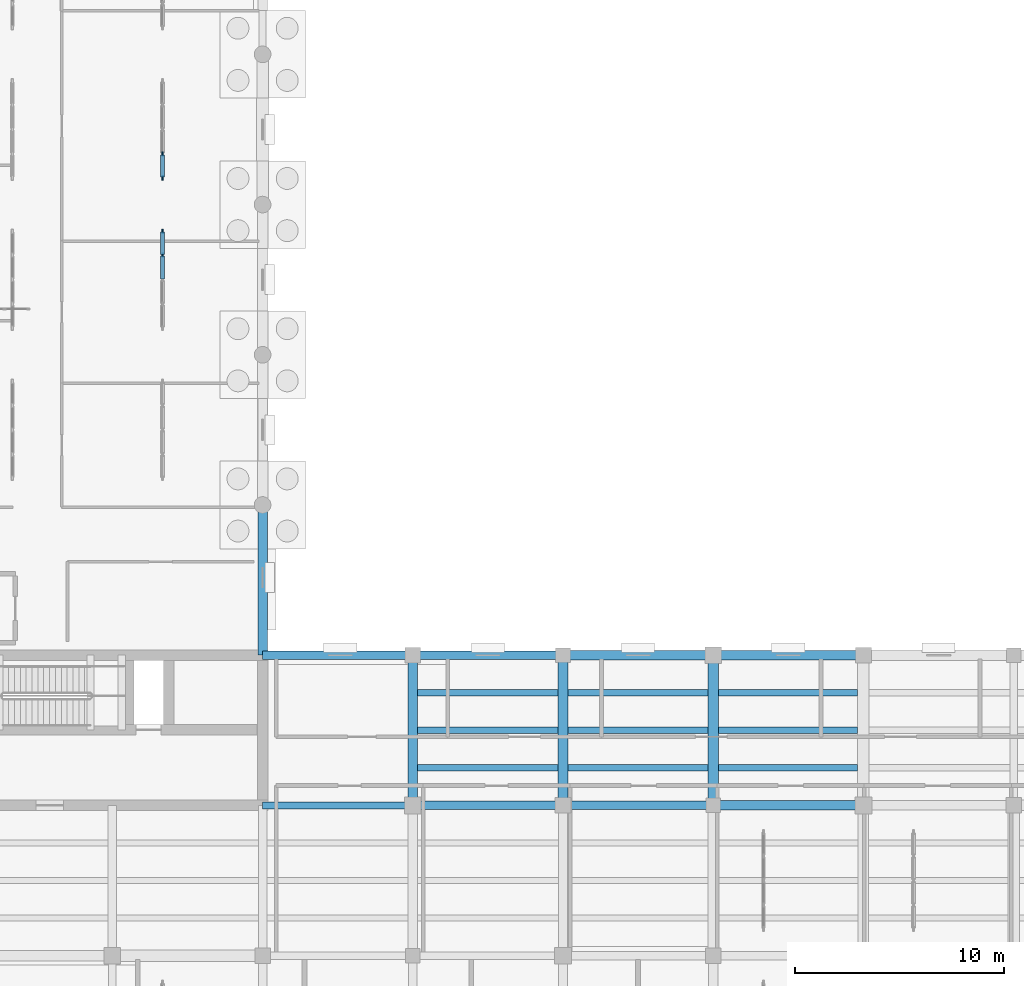
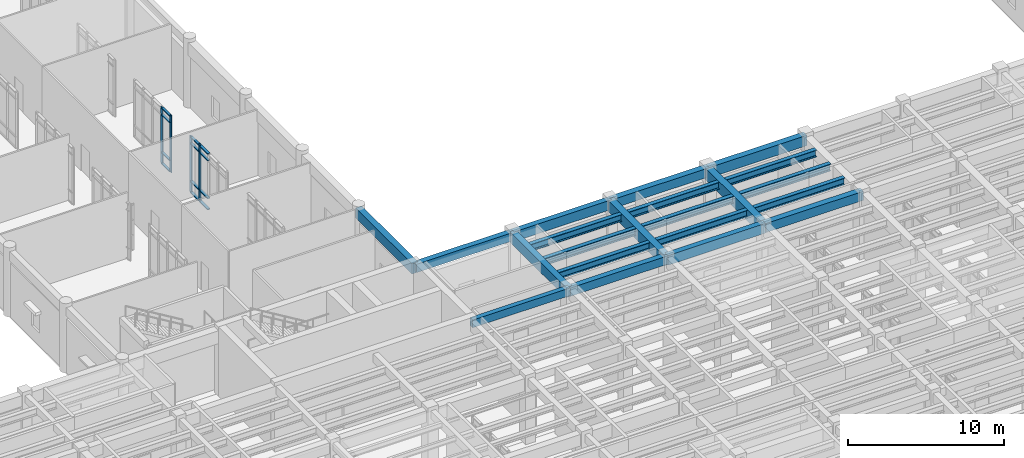
# One storey, part 20 of 100: 21 beams, 16 members, 2 elements without a shape of their own.
"""IFC4 building model written with IfcOpenShell, lengths in metres."""

from ifc_helpers import new_model, si_unit, direction, frame, origin, origin_2d, place, context, subcontext, project, spatial, rectangle, i_section, extrude, material, material_profile, profile_set, type_object, element, aggregate, save


model = new_model("IFC4")

# Units and contexts
model_context = context("Model", 3, precision=1e-05, world=origin(), true_north=direction((0.0, 1.0)))
body_context = subcontext(model_context, "Body", "Model", "MODEL_VIEW")
ifc_project = project(units=[si_unit("LENGTHUNIT", "METRE"), si_unit("AREAUNIT", "SQUARE_METRE"), si_unit("VOLUMEUNIT", "CUBIC_METRE"), si_unit("PLANEANGLEUNIT", "RADIAN"), si_unit("MASSUNIT", "GRAM", prefix="KILO")], contexts=[model_context])

# Site, building, storey
site_placement = place(None, origin())
site = spatial("IfcSite", under=ifc_project, at=site_placement, CompositionType="ELEMENT")
building_placement = place(site_placement, origin())
building = spatial("IfcBuilding", under=site, at=building_placement, Name="Mithqara Police Headquarters", CompositionType="ELEMENT")
storey_placement = place(building_placement, origin())
storey = spatial("IfcBuildingStorey", under=building, at=storey_placement, Name="L00", CompositionType="ELEMENT", Elevation=0.0)

# Beams
ifc_material_1 = material(Name="Steel S355JR", Category="steel")
ifc_material_profile_1 = material_profile(ifc_material_1, i_section(OverallWidth=0.300048828125, OverallDepth=0.550048828125, WebThickness=0.014892578125, FlangeThickness=0.029052734375, FilletRadius=0.027099609375, at=origin_2d()), Name="HEB 550")
ifc_profile_set_1 = profile_set([ifc_material_profile_1], Name="Steel S355JR")
beam_type_1 = type_object("IfcBeamType", Name="BEAM HEB550", PredefinedType="BEAM", material=ifc_profile_set_1)
for number, where, z_axis, x_axis, name in (
    (1, (101.625, 30.0, 4.844970703125), (1.0, 0.0, 0.0), (0.0, 1.0, 0.0), "L00 Composite Steel Joist 15-16/E.1"),
    (2, (101.625, 31.800048828125, 4.844970703125), (1.0, 0.0, 0.0), (0.0, 1.0, 0.0), "L00 Composite Steel Joist 15-16/E.2"),
    (3, (101.625, 33.60009765625, 4.844970703125), (1.0, 0.0, 0.0), (0.0, 1.0, 0.0), "L00 Composite Steel Joist 15-16/E.3"),
):
    element("IfcBeam", number, at=place(storey_placement, frame(where, z_axis=z_axis, x_axis=x_axis)), inside=storey, type_object=beam_type_1, Name=name, PredefinedType="BEAM", context=body_context, shape_type="SweptSolid", body=[
        extrude(i_section(OverallWidth=0.300048828125, OverallDepth=0.550048828125, WebThickness=0.014892578125, FlangeThickness=0.029052734375, FilletRadius=0.027099609375, at=origin_2d()), origin(), (0.0, 0.0, 1.0), 6.72509765625),
    ])
for number, where, z_axis, x_axis, name in (
    (4, (108.85009765625, 30.0, 4.844970703125), (1.0, 0.0, 0.0), (0.0, 1.0, 0.0), "L00 Composite Steel Joist 16-17/E.1"),
    (5, (108.85009765625, 31.800048828125, 4.844970703125), (1.0, 0.0, 0.0), (0.0, 1.0, 0.0), "L00 Composite Steel Joist 16-17/E.2"),
    (6, (108.85009765625, 33.60009765625, 4.844970703125), (1.0, 0.0, 0.0), (0.0, 1.0, 0.0), "L00 Composite Steel Joist 16-17/E.3"),
):
    element("IfcBeam", number, at=place(storey_placement, frame(where, z_axis=z_axis, x_axis=x_axis)), inside=storey, type_object=beam_type_1, Name=name, PredefinedType="BEAM", context=body_context, shape_type="SweptSolid", body=[
        extrude(i_section(OverallWidth=0.300048828125, OverallDepth=0.550048828125, WebThickness=0.014892578125, FlangeThickness=0.029052734375, FilletRadius=0.027099609375, at=origin_2d()), origin(), (0.0, 0.0, 1.0), 6.699951171875),
    ])
for number, where, z_axis, x_axis, name in (
    (7, (116.050048828125, 30.0, 4.844970703125), (1.0, 0.0, 0.0), (0.0, 1.0, 0.0), "L00 Composite Steel Joist 17-18/E.1"),
    (8, (116.050048828125, 31.800048828125, 4.844970703125), (1.0, 0.0, 0.0), (0.0, 1.0, 0.0), "L00 Composite Steel Joist 17-18/E.2"),
    (9, (116.050048828125, 33.60009765625, 4.844970703125), (1.0, 0.0, 0.0), (0.0, 1.0, 0.0), "L00 Composite Steel Joist 17-18/E.3"),
):
    element("IfcBeam", number, at=place(storey_placement, frame(where, z_axis=z_axis, x_axis=x_axis)), inside=storey, type_object=beam_type_1, Name=name, PredefinedType="BEAM", context=body_context, shape_type="SweptSolid", body=[
        extrude(i_section(OverallWidth=0.300048828125, OverallDepth=0.550048828125, WebThickness=0.014892578125, FlangeThickness=0.029052734375, FilletRadius=0.027099609375, at=origin_2d()), origin(), (0.0, 0.0, 1.0), 6.675048828125),
    ])
ifc_material_2 = material(Name="Concrete C40/50", Category="concrete")
ifc_material_profile_2 = material_profile(ifc_material_2, rectangle(XDim=0.35009765625, YDim=0.60009765625, at=origin_2d()), Name="RC 350x600")
ifc_profile_set_2 = profile_set([ifc_material_profile_2], Name="Concrete C40/50")
beam_type_2 = type_object("IfcBeamType", Name="BEAM RC350X600", PredefinedType="BEAM", material=ifc_profile_set_2)
beam_1_placement = place(storey_placement, frame((94.199951171875, 28.199951171875, 4.820068359375), z_axis=(1.0, 0.0, 0.0), x_axis=(0.0, 1.0, 0.0)))
element("IfcBeam", 10, at=beam_1_placement, inside=storey, type_object=beam_type_2, Name="L00 Girder 14-15/E", PredefinedType="BEAM", context=body_context, shape_type="SweptSolid", body=[
    extrude(rectangle(XDim=0.35009765625, YDim=0.60009765625, at=origin_2d()), origin(), (0.0, 0.0, 1.0), 7.199951171875),
])
ifc_material_profile_3 = material_profile(ifc_material_2, rectangle(XDim=0.39990234375, YDim=0.64990234375, at=origin_2d()), Name="RC 400x650")
ifc_profile_set_3 = profile_set([ifc_material_profile_3], Name="Concrete C40/50")
beam_type_3 = type_object("IfcBeamType", Name="BEAM RC400X650", PredefinedType="BEAM", material=ifc_profile_set_3)
beam_2_placement = place(storey_placement, frame((94.199951171875, 35.39990234375, 4.794921875), z_axis=(1.0, 0.0, 0.0), x_axis=(0.0, 1.0, 0.0)))
element("IfcBeam", 11, at=beam_2_placement, inside=storey, type_object=beam_type_3, Name="L00 Girder 14-15/F", PredefinedType="BEAM", context=body_context, shape_type="SweptSolid", body=[
    extrude(rectangle(XDim=0.39990234375, YDim=0.64990234375, at=origin_2d()), origin(), (0.0, 0.0, 1.0), 7.199951171875),
])
beam_3_placement = place(storey_placement, frame((101.39990234375, 28.199951171875, 4.794921875), z_axis=(1.0, 0.0, 0.0), x_axis=(0.0, 1.0, 0.0)))
element("IfcBeam", 12, at=beam_3_placement, inside=storey, type_object=beam_type_3, Name="L00 Girder 15-16/E", PredefinedType="BEAM", context=body_context, shape_type="SweptSolid", body=[
    extrude(rectangle(XDim=0.39990234375, YDim=0.64990234375, at=origin_2d()), origin(), (0.0, 0.0, 1.0), 7.2001953125),
])
ifc_material_profile_4 = material_profile(ifc_material_2, rectangle(XDim=0.39990234375, YDim=0.75, at=origin_2d()), Name="RC 400x750")
ifc_profile_set_4 = profile_set([ifc_material_profile_4], Name="Concrete C40/50")
beam_type_4 = type_object("IfcBeamType", Name="BEAM RC400X750", PredefinedType="BEAM", material=ifc_profile_set_4)
beam_4_placement = place(storey_placement, frame((101.39990234375, 35.39990234375, 4.7451171875), z_axis=(1.0, 0.0, 0.0), x_axis=(0.0, 1.0, 0.0)))
element("IfcBeam", 13, at=beam_4_placement, inside=storey, type_object=beam_type_4, Name="L00 Girder 15-16/F", PredefinedType="BEAM", context=body_context, shape_type="SweptSolid", body=[
    extrude(rectangle(XDim=0.39990234375, YDim=0.75, at=origin_2d()), origin(), (0.0, 0.0, 1.0), 7.2001953125),
])
beam_5_placement = place(storey_placement, frame((108.60009765625, 28.199951171875, 4.7451171875), z_axis=(1.0, 0.0, 0.0), x_axis=(0.0, 1.0, 0.0)))
element("IfcBeam", 14, at=beam_5_placement, inside=storey, type_object=beam_type_4, Name="L00 Girder 16-17/E", PredefinedType="BEAM", context=body_context, shape_type="SweptSolid", body=[
    extrude(rectangle(XDim=0.39990234375, YDim=0.75, at=origin_2d()), origin(), (0.0, 0.0, 1.0), 7.199951171875),
])
ifc_material_profile_5 = material_profile(ifc_material_2, rectangle(XDim=0.449951171875, YDim=0.699951171875, at=origin_2d()), Name="RC 450x700")
ifc_profile_set_5 = profile_set([ifc_material_profile_5], Name="Concrete C40/50")
beam_type_5 = type_object("IfcBeamType", Name="BEAM RC450X700", PredefinedType="BEAM", material=ifc_profile_set_5)
for number, where, z_axis, x_axis, name in (
    (15, (108.60009765625, 35.39990234375, 4.77001953125), (1.0, 0.0, 0.0), (0.0, 1.0, 0.0), "L00 Girder 16-17/F"),
    (16, (115.800048828125, 28.199951171875, 4.77001953125), (1.0, 0.0, 0.0), (0.0, 1.0, 0.0), "L00 Girder 17-18/E"),
):
    element("IfcBeam", number, at=place(storey_placement, frame(where, z_axis=z_axis, x_axis=x_axis)), inside=storey, type_object=beam_type_5, Name=name, PredefinedType="BEAM", context=body_context, shape_type="SweptSolid", body=[
        extrude(rectangle(XDim=0.449951171875, YDim=0.699951171875, at=origin_2d()), origin(), (0.0, 0.0, 1.0), 7.199951171875),
    ])
ifc_material_profile_6 = material_profile(ifc_material_2, rectangle(XDim=0.449951171875, YDim=0.800048828125, at=origin_2d()), Name="RC 450x800")
ifc_profile_set_6 = profile_set([ifc_material_profile_6], Name="Concrete C40/50")
beam_type_6 = type_object("IfcBeamType", Name="BEAM RC450X800", PredefinedType="BEAM", material=ifc_profile_set_6)
beam_6_placement = place(storey_placement, frame((94.199951171875, 35.39990234375, 4.719970703125), z_axis=(0.0, 1.0, 0.0), x_axis=(-1.0, 0.0, 0.0)))
element("IfcBeam", 17, at=beam_6_placement, inside=storey, type_object=beam_type_6, Name="L00 Girder 14/F-G", PredefinedType="BEAM", context=body_context, shape_type="SweptSolid", body=[
    extrude(rectangle(XDim=0.449951171875, YDim=0.800048828125, at=origin_2d()), origin(), (0.0, 0.0, 1.0), 7.2001953125),
])
for number, where, z_axis, x_axis, name in (
    (18, (101.39990234375, 28.199951171875, 4.719970703125), (0.0, 1.0, 0.0), (-1.0, 0.0, 0.0), "L00 Girder 15/E-F"),
    (19, (115.800048828125, 35.39990234375, 4.719970703125), (1.0, 0.0, 0.0), (0.0, 1.0, 0.0), "L00 Girder 17-18/F"),
):
    element("IfcBeam", number, at=place(storey_placement, frame(where, z_axis=z_axis, x_axis=x_axis)), inside=storey, type_object=beam_type_6, Name=name, PredefinedType="BEAM", context=body_context, shape_type="SweptSolid", body=[
        extrude(rectangle(XDim=0.449951171875, YDim=0.800048828125, at=origin_2d()), origin(), (0.0, 0.0, 1.0), 7.199951171875),
    ])
ifc_material_profile_7 = material_profile(ifc_material_2, rectangle(XDim=0.5, YDim=0.85009765625, at=origin_2d()), Name="RC 500x850")
ifc_profile_set_7 = profile_set([ifc_material_profile_7], Name="Concrete C40/50")
beam_type_7 = type_object("IfcBeamType", Name="BEAM RC500X850", PredefinedType="BEAM", material=ifc_profile_set_7)
beam_7_placement = place(storey_placement, frame((108.60009765625, 28.199951171875, 4.695068359375), z_axis=(0.0, 1.0, 0.0), x_axis=(-1.0, 0.0, 0.0)))
element("IfcBeam", 20, at=beam_7_placement, inside=storey, type_object=beam_type_7, Name="L00 Girder 16/E-F", PredefinedType="BEAM", context=body_context, shape_type="SweptSolid", body=[
    extrude(rectangle(XDim=0.5, YDim=0.85009765625, at=origin_2d()), origin(), (0.0, 0.0, 1.0), 7.199951171875),
])
ifc_material_3 = material(Name="Concrete C50/60", Category="concrete")
ifc_material_profile_8 = material_profile(ifc_material_3, rectangle(XDim=0.5, YDim=0.89990234375, at=origin_2d()), Name="RC 500x900")
ifc_profile_set_8 = profile_set([ifc_material_profile_8], Name="Concrete C50/60")
beam_type_8 = type_object("IfcBeamType", Name="BEAM RC500X900", PredefinedType="BEAM", material=ifc_profile_set_8)
beam_8_placement = place(storey_placement, frame((115.800048828125, 28.199951171875, 4.669921875), z_axis=(0.0, 1.0, 0.0), x_axis=(-1.0, 0.0, 0.0)))
element("IfcBeam", 21, at=beam_8_placement, inside=storey, type_object=beam_type_8, Name="L00 Girder 17/E-F", PredefinedType="BEAM", context=body_context, shape_type="SweptSolid", body=[
    extrude(rectangle(XDim=0.5, YDim=0.89990234375, at=origin_2d()), origin(), (0.0, 0.0, 1.0), 7.199951171875),
])

# Curtain wall, members
ifc_material_4 = material(Name="Bronze anodised aluminium 6063-T6", Category="aluminium")
curtain_wall_type = type_object("IfcCurtainWallType", Name="CURTAIN WALL 4700X4400", PredefinedType="USERDEFINED", material=ifc_material_4)
curtain_wall_1_placement = place(storey_placement, origin())
curtain_wall_1 = element("IfcCurtainWall", 22, at=curtain_wall_1_placement, inside=storey, type_object=curtain_wall_type, Name="L00 Unitised Glazing CW-14 (CW-INT-L00-X12-Y07-0)", ObjectType="UNITISED GLAZING", PredefinedType="USERDEFINED")
ifc_material_profile_9 = material_profile(ifc_material_4, rectangle(XDim=0.074951171875, YDim=0.219970703125, at=origin_2d()), Name="CWM 75x220")
ifc_profile_set_9 = profile_set([ifc_material_profile_9], Name="Bronze anodised aluminium 6063-T6")
member_type_1 = type_object("IfcMemberType", Name="CWMULLION 75X220", PredefinedType="MULLION", material=ifc_profile_set_9)
member_1_placement = place(storey_placement, frame((89.39990234375, 54.574951171875, 0.0), z_axis=(0.0, 0.0, 1.0), x_axis=(-1.0, 0.0, 0.0)))
member_1 = element("IfcMember", 23, at=member_1_placement, type_object=member_type_1, Name="CW-14 mullion 4", PredefinedType="MULLION", context=body_context, shape_type="SweptSolid", body=[
    extrude(rectangle(XDim=0.074951171875, YDim=0.219970703125, at=origin_2d()), origin(), (0.0, 0.0, 1.0), 4.39990234375),
])
member_2_placement = place(storey_placement, frame((89.39990234375, 55.71240234375, 0.0), z_axis=(0.0, 0.0, 1.0), x_axis=(-1.0, 0.0, 0.0)))
member_2 = element("IfcMember", 24, at=member_2_placement, type_object=member_type_1, Name="CW-14 mullion 5", PredefinedType="MULLION", context=body_context, shape_type="SweptSolid", body=[
    extrude(rectangle(XDim=0.074951171875, YDim=0.219970703125, at=origin_2d()), origin(), (0.0, 0.0, 1.0), 4.39990234375),
])

curtain_wall_2_placement = place(storey_placement, origin())
curtain_wall_2 = element("IfcCurtainWall", 25, at=curtain_wall_2_placement, inside=storey, type_object=curtain_wall_type, Name="L00 Unitised Glazing CW-14 (CW-INT-L00-X12-Y08-0)", ObjectType="UNITISED GLAZING", PredefinedType="USERDEFINED")
member_3_placement = place(storey_placement, frame((89.39990234375, 58.28759765625, 0.0), z_axis=(0.0, 0.0, 1.0), x_axis=(-1.0, 0.0, 0.0)))
member_3 = element("IfcMember", 26, at=member_3_placement, type_object=member_type_1, Name="CW-14 mullion 1", PredefinedType="MULLION", context=body_context, shape_type="SweptSolid", body=[
    extrude(rectangle(XDim=0.074951171875, YDim=0.219970703125, at=origin_2d()), origin(), (0.0, 0.0, 1.0), 4.39990234375),
])
member_4_placement = place(storey_placement, frame((89.39990234375, 59.425048828125, 0.0), z_axis=(0.0, 0.0, 1.0), x_axis=(-1.0, 0.0, 0.0)))
member_4 = element("IfcMember", 27, at=member_4_placement, type_object=member_type_1, Name="CW-14 mullion 2", PredefinedType="MULLION", context=body_context, shape_type="SweptSolid", body=[
    extrude(rectangle(XDim=0.074951171875, YDim=0.219970703125, at=origin_2d()), origin(), (0.0, 0.0, 1.0), 4.39990234375),
])

# Member
ifc_material_profile_10 = material_profile(ifc_material_4, rectangle(XDim=0.179931640625, YDim=0.074951171875, at=origin_2d()), Name="CWT 180x75")
ifc_profile_set_10 = profile_set([ifc_material_profile_10], Name="Bronze anodised aluminium 6063-T6")
member_type_2 = type_object("IfcMemberType", Name="CWTRANSOM 180X75", PredefinedType="USERDEFINED", material=ifc_profile_set_10)
member_5_placement = place(storey_placement, frame((89.39990234375, 53.4375, 0.03759765625), z_axis=(0.0, 1.0, 0.0), x_axis=(-1.0, 0.0, 0.0)))
member_5 = element("IfcMember", 28, at=member_5_placement, type_object=member_type_2, Name="CW-14 transom 3.1", ObjectType="TRANSOM", PredefinedType="USERDEFINED", context=body_context, shape_type="SweptSolid", body=[
    extrude(rectangle(XDim=0.179931640625, YDim=0.074951171875, at=origin_2d()), origin(), (0.0, 0.0, 1.0), 1.10009765625),
])

member_6_placement = place(storey_placement, frame((89.39990234375, 53.4375, 0.89990234375), z_axis=(0.0, 1.0, 0.0), x_axis=(-1.0, 0.0, 0.0)))
member_6 = element("IfcMember", 29, at=member_6_placement, type_object=member_type_2, Name="CW-14 transom 3.2", ObjectType="TRANSOM", PredefinedType="USERDEFINED", context=body_context, shape_type="SweptSolid", body=[
    extrude(rectangle(XDim=0.179931640625, YDim=0.074951171875, at=origin_2d()), origin(), (0.0, 0.0, 1.0), 1.10009765625),
])

member_7_placement = place(storey_placement, frame((89.39990234375, 53.4375, 3.85009765625), z_axis=(0.0, 1.0, 0.0), x_axis=(-1.0, 0.0, 0.0)))
member_7 = element("IfcMember", 30, at=member_7_placement, type_object=member_type_2, Name="CW-14 transom 3.3", ObjectType="TRANSOM", PredefinedType="USERDEFINED", context=body_context, shape_type="SweptSolid", body=[
    extrude(rectangle(XDim=0.179931640625, YDim=0.074951171875, at=origin_2d()), origin(), (0.0, 0.0, 1.0), 1.10009765625),
])

member_8_placement = place(storey_placement, frame((89.39990234375, 53.4375, 4.362548828125), z_axis=(0.0, 1.0, 0.0), x_axis=(-1.0, 0.0, 0.0)))
member_8 = element("IfcMember", 31, at=member_8_placement, type_object=member_type_2, Name="CW-14 transom 3.4", ObjectType="TRANSOM", PredefinedType="USERDEFINED", context=body_context, shape_type="SweptSolid", body=[
    extrude(rectangle(XDim=0.179931640625, YDim=0.074951171875, at=origin_2d()), origin(), (0.0, 0.0, 1.0), 1.10009765625),
])

member_9_placement = place(storey_placement, frame((89.39990234375, 54.612548828125, 0.03759765625), z_axis=(0.0, 1.0, 0.0), x_axis=(-1.0, 0.0, 0.0)))
member_9 = element("IfcMember", 32, at=member_9_placement, type_object=member_type_2, Name="CW-14 transom 4.1", ObjectType="TRANSOM", PredefinedType="USERDEFINED", context=body_context, shape_type="SweptSolid", body=[
    extrude(rectangle(XDim=0.179931640625, YDim=0.074951171875, at=origin_2d()), origin(), (0.0, 0.0, 1.0), 1.0625),
])

member_10_placement = place(storey_placement, frame((89.39990234375, 54.612548828125, 0.89990234375), z_axis=(0.0, 1.0, 0.0), x_axis=(-1.0, 0.0, 0.0)))
member_10 = element("IfcMember", 33, at=member_10_placement, type_object=member_type_2, Name="CW-14 transom 4.2", ObjectType="TRANSOM", PredefinedType="USERDEFINED", context=body_context, shape_type="SweptSolid", body=[
    extrude(rectangle(XDim=0.179931640625, YDim=0.074951171875, at=origin_2d()), origin(), (0.0, 0.0, 1.0), 1.0625),
])

member_11_placement = place(storey_placement, frame((89.39990234375, 54.612548828125, 3.85009765625), z_axis=(0.0, 1.0, 0.0), x_axis=(-1.0, 0.0, 0.0)))
member_11 = element("IfcMember", 34, at=member_11_placement, type_object=member_type_2, Name="CW-14 transom 4.3", ObjectType="TRANSOM", PredefinedType="USERDEFINED", context=body_context, shape_type="SweptSolid", body=[
    extrude(rectangle(XDim=0.179931640625, YDim=0.074951171875, at=origin_2d()), origin(), (0.0, 0.0, 1.0), 1.0625),
])

member_12_placement = place(storey_placement, frame((89.39990234375, 54.612548828125, 4.362548828125), z_axis=(0.0, 1.0, 0.0), x_axis=(-1.0, 0.0, 0.0)))
member_12 = element("IfcMember", 35, at=member_12_placement, type_object=member_type_2, Name="CW-14 transom 4.4", ObjectType="TRANSOM", PredefinedType="USERDEFINED", context=body_context, shape_type="SweptSolid", body=[
    extrude(rectangle(XDim=0.179931640625, YDim=0.074951171875, at=origin_2d()), origin(), (0.0, 0.0, 1.0), 1.0625),
])

aggregate(curtain_wall_1, [member_1, member_2, member_5, member_6, member_7, member_8, member_9, member_10, member_11, member_12])

member_13_placement = place(storey_placement, frame((89.39990234375, 58.324951171875, 0.03759765625), z_axis=(0.0, 1.0, 0.0), x_axis=(-1.0, 0.0, 0.0)))
member_13 = element("IfcMember", 36, at=member_13_placement, type_object=member_type_2, Name="CW-14 transom 1.1", ObjectType="TRANSOM", PredefinedType="USERDEFINED", context=body_context, shape_type="SweptSolid", body=[
    extrude(rectangle(XDim=0.179931640625, YDim=0.074951171875, at=origin_2d()), origin(), (0.0, 0.0, 1.0), 1.0625),
])

member_14_placement = place(storey_placement, frame((89.39990234375, 58.324951171875, 0.89990234375), z_axis=(0.0, 1.0, 0.0), x_axis=(-1.0, 0.0, 0.0)))
member_14 = element("IfcMember", 37, at=member_14_placement, type_object=member_type_2, Name="CW-14 transom 1.2", ObjectType="TRANSOM", PredefinedType="USERDEFINED", context=body_context, shape_type="SweptSolid", body=[
    extrude(rectangle(XDim=0.179931640625, YDim=0.074951171875, at=origin_2d()), origin(), (0.0, 0.0, 1.0), 1.0625),
])

member_15_placement = place(storey_placement, frame((89.39990234375, 58.324951171875, 3.85009765625), z_axis=(0.0, 1.0, 0.0), x_axis=(-1.0, 0.0, 0.0)))
member_15 = element("IfcMember", 38, at=member_15_placement, type_object=member_type_2, Name="CW-14 transom 1.3", ObjectType="TRANSOM", PredefinedType="USERDEFINED", context=body_context, shape_type="SweptSolid", body=[
    extrude(rectangle(XDim=0.179931640625, YDim=0.074951171875, at=origin_2d()), origin(), (0.0, 0.0, 1.0), 1.0625),
])

member_16_placement = place(storey_placement, frame((89.39990234375, 58.324951171875, 4.362548828125), z_axis=(0.0, 1.0, 0.0), x_axis=(-1.0, 0.0, 0.0)))
member_16 = element("IfcMember", 39, at=member_16_placement, type_object=member_type_2, Name="CW-14 transom 1.4", ObjectType="TRANSOM", PredefinedType="USERDEFINED", context=body_context, shape_type="SweptSolid", body=[
    extrude(rectangle(XDim=0.179931640625, YDim=0.074951171875, at=origin_2d()), origin(), (0.0, 0.0, 1.0), 1.0625),
])

aggregate(curtain_wall_2, [member_3, member_4, member_13, member_14, member_15, member_16])

save(model, "model.ifc")
